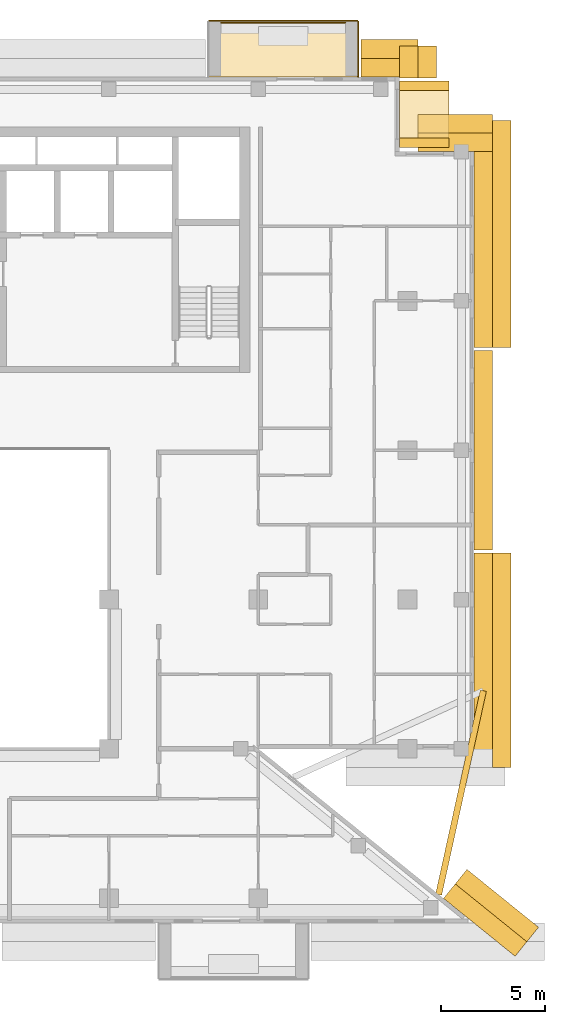
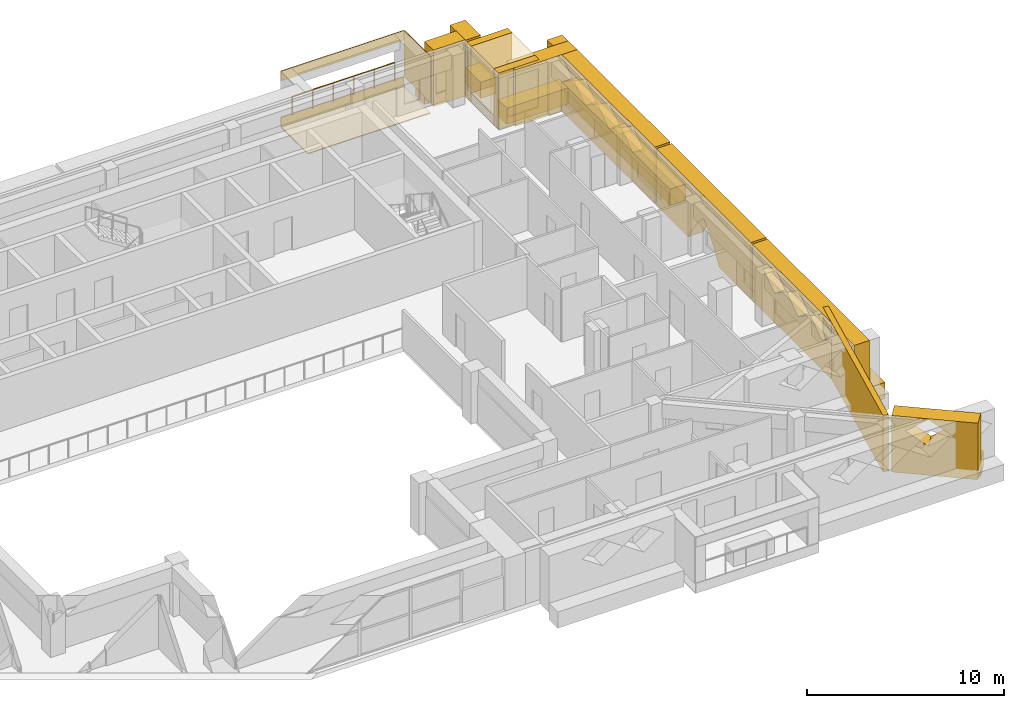
# One storey, part 19 of 19: 22 coverings, 1 railing.
"""IFC4 building model written with IfcOpenShell, lengths in metres."""

from ifc_helpers import new_model, si_unit, direction, frame, origin, origin_2d, place, context, subcontext, project, spatial, polyline, circle, outline, extrude, material, layer, layer_set, type_object, element, save


model = new_model("IFC4")

# Units and contexts
model_context = context("Model", 3, precision=1e-05, world=origin(), true_north=direction((0.0, 1.0)))
body_context = subcontext(model_context, "Body", "Model", "MODEL_VIEW")
ifc_project = project(units=[si_unit("LENGTHUNIT", "METRE"), si_unit("AREAUNIT", "SQUARE_METRE"), si_unit("VOLUMEUNIT", "CUBIC_METRE"), si_unit("PLANEANGLEUNIT", "RADIAN"), si_unit("MASSUNIT", "GRAM", prefix="KILO")], contexts=[model_context])

# Site, building, storey
site_placement = place(None, origin())
site = spatial("IfcSite", under=ifc_project, at=site_placement, CompositionType="ELEMENT")
building_placement = place(site_placement, origin())
building = spatial("IfcBuilding", under=site, at=building_placement, Name="Saffron Iwan Residences", CompositionType="ELEMENT")
storey_placement = place(building_placement, frame((0.0, 0.0, 215.0)))
storey = spatial("IfcBuildingStorey", under=building, at=storey_placement, Name="L57", CompositionType="ELEMENT", Elevation=215.0)

# Railing
ifc_material_1 = material(Name="Stainless steel 316", Category="steel")
railing_type = type_object("IfcRailingType", Name="BALCONY GUARD 1150", PredefinedType="GUARDRAIL", material=ifc_material_1)
railing_placement = place(storey_placement, frame((76.199951171875, 83.02490234375, 0.0)))
element("IfcRailing", 1, at=railing_placement, inside=storey, type_object=railing_type, Name="Balcony guard L57 F5-0", PredefinedType="GUARDRAIL", context=body_context, shape_type="SweptSolid", body=[
    extrude(circle(Radius=0.02392578125, at=origin_2d()), frame((0.0, 0.0, 1.1259765625), z_axis=(-1.0, 0.0, 0.0), x_axis=(0.0, -1.0, 0.0)), (0.0, 0.0, 1.0), 6.0),
    extrude(circle(Radius=0.02099609375, at=origin_2d()), origin(), (0.0, 0.0, 1.0), 1.101806640625),
    extrude(circle(Radius=0.02099609375, at=origin_2d()), frame((-1.199951171875, 0.0, 0.0)), (0.0, 0.0, 1.0), 1.101806640625),
    extrude(circle(Radius=0.02099609375, at=origin_2d()), frame((-2.39990234375, 0.0, 0.0)), (0.0, 0.0, 1.0), 1.101806640625),
    extrude(circle(Radius=0.02099609375, at=origin_2d()), frame((-3.60009765625, 0.0, 0.0)), (0.0, 0.0, 1.0), 1.101806640625),
    extrude(circle(Radius=0.02099609375, at=origin_2d()), frame((-4.800048828125, 0.0, 0.0)), (0.0, 0.0, 1.0), 1.101806640625),
    extrude(circle(Radius=0.02099609375, at=origin_2d()), frame((-6.0, 0.0, 0.0)), (0.0, 0.0, 1.0), 1.101806640625),
])

# Coverings
ifc_material_2 = material(Name="Precast concrete C40/50 white painted", Category="concrete")
ifc_layer_1 = layer(ifc_material_2, 0.050048828125)
ifc_layer_set_1 = layer_set([ifc_layer_1], Name="Precast concrete C40/50 white painted")
covering_type_1 = type_object("IfcCoveringType", Name="FRAME SKIN PRECAST WHITE 50", PredefinedType="CLADDING", material=ifc_layer_set_1)
for number, where, name in (
    (2, (0.0, 0.0, -0.60009765625), "Frame skin slab edge L57 F5-0"),
    (3, (0.0, 0.0, 2.25), "Frame skin fascia L57 F5-0"),
):
    element("IfcCovering", number, at=place(storey_placement, frame(where)), inside=storey, type_object=covering_type_1, Name=name, PredefinedType="CLADDING", context=body_context, shape_type="SweptSolid", body=[
        extrude(outline(polyline([(76.800048828125, 83.14990234375), (69.60009765625, 83.14990234375), (69.60009765625, 83.10009765625), (76.800048828125, 83.10009765625), (76.800048828125, 83.14990234375)])), origin(), (0.0, 0.0, 1.0), 0.60009765625),
    ])
covering_1_placement = place(storey_placement, frame((0.0, 0.0, -0.64990234375)))
element("IfcCovering", 4, at=covering_1_placement, inside=storey, type_object=covering_type_1, Name="Frame skin soffit L57 F5-0", PredefinedType="CLADDING", context=body_context, shape_type="SweptSolid", body=[
    extrude(outline(polyline([(76.800048828125, 83.10009765625), (69.60009765625, 83.10009765625), (69.60009765625, 80.39990234375), (76.800048828125, 80.39990234375), (76.800048828125, 83.10009765625)])), origin(), (0.0, 0.0, 1.0), 0.0498046875),
])
covering_2_placement = place(storey_placement, origin())
element("IfcCovering", 5, at=covering_2_placement, inside=storey, type_object=covering_type_1, Name="Frame skin fin L57 F5-0a", PredefinedType="CLADDING", context=body_context, shape_type="SweptSolid", body=[
    extrude(outline(polyline([(76.85009765625, 83.10009765625), (76.800048828125, 83.10009765625), (76.800048828125, 80.39990234375), (76.85009765625, 80.39990234375), (76.85009765625, 83.10009765625)])), origin(), (0.0, 0.0, 1.0), 2.85009765625),
])
covering_type_2 = type_object("IfcCoveringType", Name="IWAN PANEL PRECAST WHITE", PredefinedType="CLADDING", material=ifc_material_2)
covering_3_placement = place(storey_placement, frame((82.39990234375, 57.60009765625, -0.280029296875), z_axis=(1.0, 0.0, 0.0), x_axis=(0.0, 1.0, 0.0)))
element("IfcCovering", 6, at=covering_3_placement, inside=storey, type_object=covering_type_2, Name="Iwan panel L57 F2.0", PredefinedType="CLADDING", context=body_context, shape_type="SweptSolid", body=[
    extrude(outline(polyline([(0.0, 0.0), (0.0, 3.5), (9.60009765625, 3.5), (9.60009765625, 0.0), (6.366943359375, 0.0), (6.1416015625, 0.40185546875), (5.7392578125, 1.00244140625), (5.291259765625, 1.569580078125), (4.800048828125, 2.10009765625), (4.30859375, 1.569580078125), (3.860595703125, 1.00244140625), (3.45849609375, 0.40185546875), (3.233154296875, 0.0), (0.0, 0.0)])), origin(), (0.0, 0.0, 1.0), 0.900146484375),
])
ifc_material_3 = material(Name="Precast concrete C40/50", Category="concrete")
covering_type_3 = type_object("IfcCoveringType", Name="OUTER SKIN LATTICE SCREEN", PredefinedType="CLADDING", material=ifc_material_3)
covering_4_placement = place(storey_placement, frame((84.387939453125, 37.994384765625, -0.280029296875), z_axis=(0.628558089533, 0.777762642509, 0.0), x_axis=(-0.777762642509, 0.628558089533, 0.0)))
element("IfcCovering", 7, at=covering_4_placement, inside=storey, type_object=covering_type_3, Name="OUTER SKIN lattice screen L57 F0.0", PredefinedType="CLADDING", context=body_context, shape_type="SweptSolid", body=[
    extrude(outline(polyline([(0.0, 0.0), (4.439697265625, 0.0), (4.439697265625, 3.5), (0.0, 3.5), (0.0, 0.0)]), holes=[polyline([(1.37548828125, 2.625), (2.555419921875, 1.81005859375), (3.735595703125, 2.625), (2.555419921875, 3.43994140625), (1.37548828125, 2.625)])]), origin(), (0.0, 0.0, 1.0), 0.89990234375),
])
covering_5_placement = place(storey_placement, frame((82.39990234375, 47.10009765625, -0.280029296875), z_axis=(1.0, 0.0, 0.0), x_axis=(0.0, 1.0, 0.0)))
element("IfcCovering", 8, at=covering_5_placement, inside=storey, type_object=covering_type_3, Name="OUTER SKIN lattice screen L57 F2.0", PredefinedType="CLADDING", context=body_context, shape_type="SweptSolid", body=[
    extrude(outline(polyline([(0.0, 0.0), (10.35009765625, 0.0), (10.35009765625, 3.5), (0.0, 3.5), (0.0, 0.0)]), holes=[polyline([(2.1201171875, 2.625), (3.300048828125, 1.81005859375), (4.47998046875, 2.625), (3.300048828125, 3.43994140625), (2.1201171875, 2.625)]), polyline([(4.52001953125, 2.625), (5.699951171875, 1.81005859375), (6.8798828125, 2.625), (5.699951171875, 3.43994140625), (4.52001953125, 2.625)]), polyline([(6.919921875, 2.625), (8.10009765625, 1.81005859375), (9.280029296875, 2.625), (8.10009765625, 3.43994140625), (6.919921875, 2.625)])]), origin(), (0.0, 0.0, 1.0), 0.900146484375),
])
covering_6_placement = place(storey_placement, frame((82.39990234375, 67.35009765625, -0.280029296875), z_axis=(1.0, 0.0, 0.0), x_axis=(0.0, 1.0, 0.0)))
element("IfcCovering", 9, at=covering_6_placement, inside=storey, type_object=covering_type_3, Name="OUTER SKIN lattice screen L57 F2.1", PredefinedType="CLADDING", context=body_context, shape_type="SweptSolid", body=[
    extrude(outline(polyline([(0.0, 0.0), (10.949951171875, 0.0), (10.949951171875, 3.5), (0.0, 3.5), (0.0, 0.0)]), holes=[polyline([(1.070068359375, 2.625), (2.25, 1.81005859375), (3.429931640625, 2.625), (2.25, 3.43994140625), (1.070068359375, 2.625)]), polyline([(3.469970703125, 2.625), (4.64990234375, 1.81005859375), (5.830078125, 2.625), (4.64990234375, 3.43994140625), (3.469970703125, 2.625)]), polyline([(5.8701171875, 2.625), (7.050048828125, 1.81005859375), (8.22998046875, 2.625), (7.050048828125, 3.43994140625), (5.8701171875, 2.625)]), polyline([(8.27001953125, 2.625), (9.449951171875, 1.81005859375), (10.6298828125, 2.625), (9.449951171875, 3.43994140625), (8.27001953125, 2.625)])]), origin(), (0.0, 0.0, 1.0), 0.900146484375),
])
covering_7_placement = place(storey_placement, frame((83.300048828125, 76.800048828125, -0.280029296875), z_axis=(0.0, 1.0, 0.0), x_axis=(-1.0, 0.0, 0.0)))
element("IfcCovering", 10, at=covering_7_placement, inside=storey, type_object=covering_type_3, Name="OUTER SKIN lattice screen L57 F3.0", PredefinedType="CLADDING", context=body_context, shape_type="SweptSolid", body=[
    extrude(outline(polyline([(0.0, 0.0), (3.60009765625, 0.0), (3.60009765625, 3.5), (0.0, 3.5), (0.0, 0.0)])), origin(), (0.0, 0.0, 1.0), 0.89990234375),
])
covering_8_placement = place(storey_placement, frame((78.800048828125, 80.35009765625, -0.280029296875), z_axis=(1.0, 0.0, 0.0), x_axis=(0.0, 1.0, 0.0)))
element("IfcCovering", 11, at=covering_8_placement, inside=storey, type_object=covering_type_3, Name="OUTER SKIN lattice screen L57 F4.0", PredefinedType="CLADDING", context=body_context, shape_type="SweptSolid", body=[
    extrude(outline(polyline([(0.0, 0.0), (1.550048828125, 0.0), (1.550048828125, 3.5), (0.0, 3.5), (0.0, 0.0)])), origin(), (0.0, 0.0, 1.0), 0.89990234375),
])
covering_9_placement = place(storey_placement, frame((79.699951171875, 80.39990234375, -0.280029296875), z_axis=(0.0, 1.0, 0.0), x_axis=(-1.0, 0.0, 0.0)))
element("IfcCovering", 12, at=covering_9_placement, inside=storey, type_object=covering_type_3, Name="OUTER SKIN lattice screen L57 F5.0", PredefinedType="CLADDING", context=body_context, shape_type="SweptSolid", body=[
    extrude(outline(polyline([(0.0, 0.0), (2.75, 0.0), (2.75, 3.5), (0.0, 3.5), (0.0, 0.0)])), origin(), (0.0, 0.0, 1.0), 0.900146484375),
])
ifc_layer_2 = layer(ifc_material_2, 0.300048828125)
ifc_layer_set_2 = layer_set([ifc_layer_2], Name="Precast concrete C40/50 white painted")
covering_type_4 = type_object("IfcCoveringType", Name="PROW NOSE BLADE PRECAST WHITE", PredefinedType="CLADDING", material=ifc_layer_set_2)
covering_10_placement = place(storey_placement, frame((0.0, 0.0, -0.280029296875)))
element("IfcCovering", 13, at=covering_10_placement, inside=storey, type_object=covering_type_4, Name="Prow nose blade L57 a", PredefinedType="CLADDING", context=body_context, shape_type="SweptSolid", body=[
    extrude(outline(polyline([(80.847412109375, 40.9404296875), (83.001708984375, 50.769287109375), (82.70849609375, 50.83349609375), (80.55419921875, 41.004638671875), (80.847412109375, 40.9404296875)])), origin(), (0.0, 0.0, 1.0), 3.5),
])
ifc_layer_3 = layer(ifc_material_2, 0.89990234375)
ifc_layer_set_3 = layer_set([ifc_layer_3], Name="Precast concrete C40/50 white painted")
covering_type_5 = type_object("IfcCoveringType", Name="WHITE EDGE BAND 900 x 1000", PredefinedType="CLADDING", material=ifc_layer_set_3)
covering_11_placement = place(storey_placement, frame((0.0, 0.0, -0.699951171875)))
element("IfcCovering", 14, at=covering_11_placement, inside=storey, type_object=covering_type_5, Name="White edge band L57 F0.0", PredefinedType="CLADDING", context=body_context, shape_type="SweptSolid", body=[
    extrude(outline(polyline([(85.51904296875, 39.39453125), (82.065185546875, 42.184326171875), (81.49951171875, 41.484130859375), (84.95361328125, 38.6943359375), (85.51904296875, 39.39453125)])), origin(), (0.0, 0.0, 1.0), 1.0),
])
covering_12_placement = place(storey_placement, frame((0.0, 0.0, -0.699951171875)))
element("IfcCovering", 15, at=covering_12_placement, inside=storey, type_object=covering_type_5, Name="White edge band L57 F2.0", PredefinedType="CLADDING", context=body_context, shape_type="SweptSolid", body=[
    extrude(outline(polyline([(84.199951171875, 47.10009765625), (84.199951171875, 57.449951171875), (83.300048828125, 57.449951171875), (83.300048828125, 47.10009765625), (84.199951171875, 47.10009765625)])), origin(), (0.0, 0.0, 1.0), 1.0),
])
covering_13_placement = place(storey_placement, frame((0.0, 0.0, -0.699951171875)))
element("IfcCovering", 16, at=covering_13_placement, inside=storey, type_object=covering_type_5, Name="White edge band L57 F2.1", PredefinedType="CLADDING", context=body_context, shape_type="SweptSolid", body=[
    extrude(outline(polyline([(84.199951171875, 67.35009765625), (84.199951171875, 78.300048828125), (83.300048828125, 78.300048828125), (83.300048828125, 67.35009765625), (84.199951171875, 67.35009765625)])), origin(), (0.0, 0.0, 1.0), 1.0),
])
covering_14_placement = place(storey_placement, frame((0.0, 0.0, -0.699951171875)))
element("IfcCovering", 17, at=covering_14_placement, inside=storey, type_object=covering_type_5, Name="White edge band L57 F3.0", PredefinedType="CLADDING", context=body_context, shape_type="SweptSolid", body=[
    extrude(outline(polyline([(83.300048828125, 78.60009765625), (79.699951171875, 78.60009765625), (79.699951171875, 77.699951171875), (83.300048828125, 77.699951171875), (83.300048828125, 78.60009765625)])), origin(), (0.0, 0.0, 1.0), 1.0),
])
covering_15_placement = place(storey_placement, frame((0.0, 0.0, -0.699951171875)))
element("IfcCovering", 18, at=covering_15_placement, inside=storey, type_object=covering_type_5, Name="White edge band L57 F4.0", PredefinedType="CLADDING", context=body_context, shape_type="SweptSolid", body=[
    extrude(outline(polyline([(80.60009765625, 80.35009765625), (80.60009765625, 81.89990234375), (79.699951171875, 81.89990234375), (79.699951171875, 80.35009765625), (80.60009765625, 80.35009765625)])), origin(), (0.0, 0.0, 1.0), 1.0),
])
covering_16_placement = place(storey_placement, frame((0.0, 0.0, -0.699951171875)))
element("IfcCovering", 19, at=covering_16_placement, inside=storey, type_object=covering_type_5, Name="White edge band L57 F5.0", PredefinedType="CLADDING", context=body_context, shape_type="SweptSolid", body=[
    extrude(outline(polyline([(79.699951171875, 82.199951171875), (76.949951171875, 82.199951171875), (76.949951171875, 81.300048828125), (79.699951171875, 81.300048828125), (79.699951171875, 82.199951171875)])), origin(), (0.0, 0.0, 1.0), 1.0),
])
covering_type_6 = type_object("IfcCoveringType", Name="WHITE SUN FRAME PRECAST", PredefinedType="CLADDING", material=ifc_material_2)
for number, where, z_axis, x_axis, name in (
    (20, (78.800048828125, 77.0, -0.280029296875), (1.0, 0.0, 0.0), (0.0, 1.0, 0.0), "Sun frame L57 F4 0.2a"),
    (21, (78.800048828125, 79.75, -0.280029296875), (1.0, 0.0, 0.0), (0.0, 1.0, 0.0), "Sun frame L57 F4 0.2b"),
):
    element("IfcCovering", number, at=place(storey_placement, frame(where, z_axis=z_axis, x_axis=x_axis)), inside=storey, type_object=covering_type_6, Name=name, PredefinedType="CLADDING", context=body_context, shape_type="SweptSolid", body=[
        extrude(outline(polyline([(0.0, 0.0), (0.449951171875, 0.0), (0.449951171875, 3.5), (0.0, 3.5), (0.0, 0.0)])), origin(), (0.0, 0.0, 1.0), 2.39990234375),
    ])
for number, where, z_axis, x_axis, name in (
    (22, (78.800048828125, 77.449951171875, 2.6201171875), (1.0, 0.0, 0.0), (0.0, 1.0, 0.0), "Sun frame L57 F4 0.2h"),
    (23, (78.800048828125, 77.449951171875, -0.280029296875), (1.0, 0.0, 0.0), (0.0, 1.0, 0.0), "Sun frame L57 F4 0.2s"),
):
    element("IfcCovering", number, at=place(storey_placement, frame(where, z_axis=z_axis, x_axis=x_axis)), inside=storey, type_object=covering_type_6, Name=name, PredefinedType="CLADDING", context=body_context, shape_type="SweptSolid", body=[
        extrude(outline(polyline([(0.0, 0.0), (2.300048828125, 0.0), (2.300048828125, 0.60009765625), (0.0, 0.60009765625), (0.0, 0.0)])), origin(), (0.0, 0.0, 1.0), 2.39990234375),
    ])

save(model, "model.ifc")
